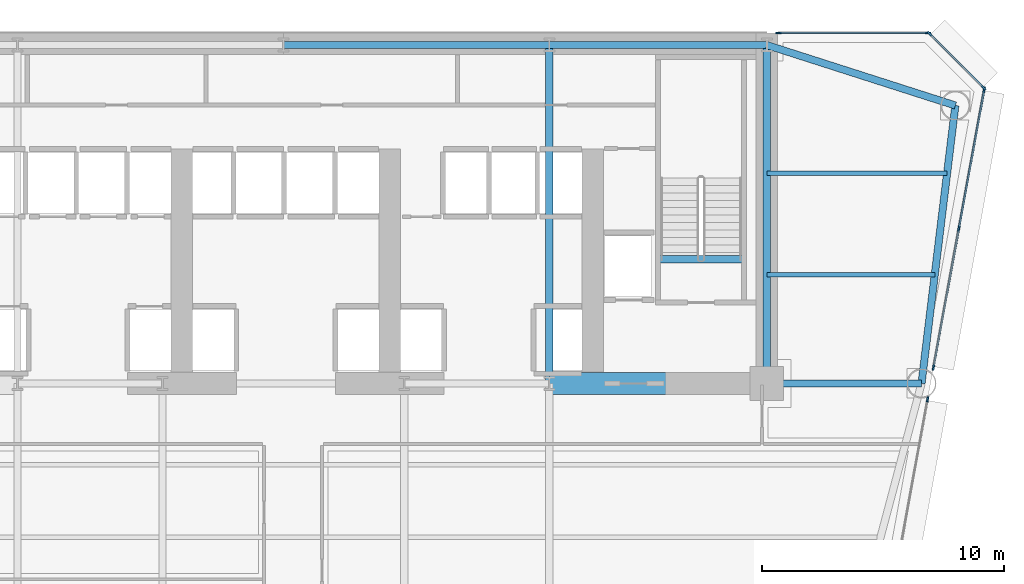
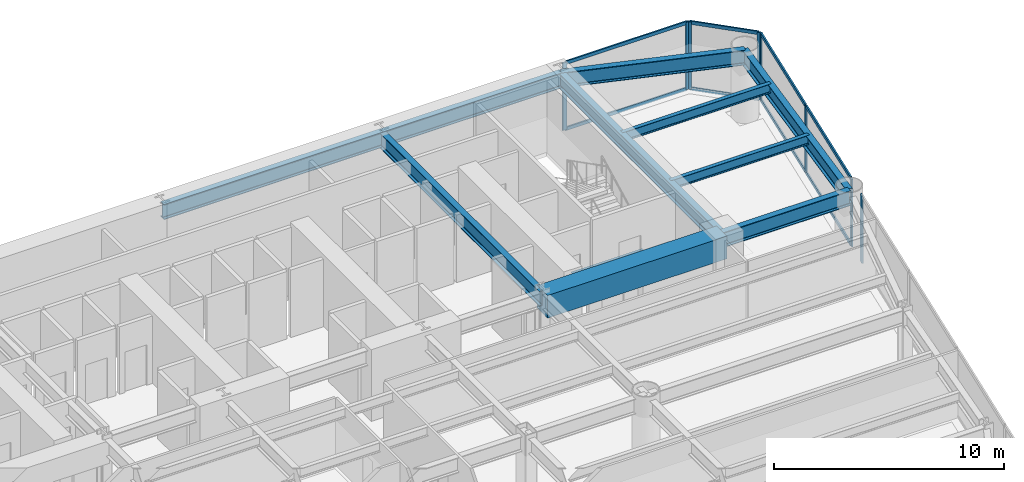
# One storey, part 6 of 14: 16 members, 11 beams, 4 elements without a shape of their own.
"""IFC4 building model written with IfcOpenShell, lengths in metres."""

from ifc_helpers import new_model, si_unit, direction, frame, origin, origin_2d, place, context, subcontext, project, spatial, rectangle, i_section, extrude, source, transform, mapped, material, layer, layer_set, material_profile, profile_set, type_object, element, aggregate, save


model = new_model("IFC4")

# Units and contexts
model_context = context("Model", 3, precision=1e-05, world=origin(), true_north=direction((0.0, 1.0)))
body_context = subcontext(model_context, "Body", "Model", "MODEL_VIEW")
ifc_project = project(units=[si_unit("LENGTHUNIT", "METRE"), si_unit("AREAUNIT", "SQUARE_METRE"), si_unit("VOLUMEUNIT", "CUBIC_METRE"), si_unit("PLANEANGLEUNIT", "RADIAN"), si_unit("MASSUNIT", "GRAM", prefix="KILO")], contexts=[model_context])

# Site, building, storey
site_placement = place(None, origin())
site = spatial("IfcSite", under=ifc_project, at=site_placement, CompositionType="ELEMENT")
building_placement = place(site_placement, origin())
building = spatial("IfcBuilding", under=site, at=building_placement, Name="Vaeldorn Concourse Tower", CompositionType="ELEMENT")
storey_placement = place(building_placement, frame((0.0, 0.0, 68.199951171875)))
storey = spatial("IfcBuildingStorey", under=building, at=storey_placement, Name="L17", CompositionType="ELEMENT", Elevation=68.199951171875)

# Beams
ifc_material_1 = material(Name="Concrete C60/75", Category="concrete")
ifc_material_profile_1 = material_profile(ifc_material_1, rectangle(XDim=0.89990234375, YDim=1.199951171875, at=origin_2d()), Name="RC 900x1200")
ifc_profile_set_1 = profile_set([ifc_material_profile_1], Name="Concrete C60/75")
beam_type_1 = type_object("IfcBeamType", Name="BM-CB-RC900", PredefinedType="BEAM", material=ifc_profile_set_1)
shared_shape_1 = source(origin(), body_context, "Body", "SweptSolid", [
    extrude(rectangle(XDim=0.89990234375, YDim=1.199951171875, at=origin_2d()), origin(), (0.0, 0.0, 1.0), 9.0),
])
beam_1_placement = place(storey_placement, frame((45.0, 36.5, 2.97998046875), z_axis=(1.0, 0.0, 0.0), x_axis=(0.0, 1.0, 0.0)))
element("IfcBeam", 1, at=beam_1_placement, inside=storey, type_object=beam_type_1, Name="Core Coupling Beam L17-2", PredefinedType="BEAM", context=body_context, shape_type="MappedRepresentation", body=[
    mapped(shared_shape_1, transform((0.0, 0.0, 0.0), scale=1.0)),
])
ifc_material_2 = material(Name="Steel S355", Category="steel")
ifc_material_profile_2 = material_profile(ifc_material_2, i_section(OverallWidth=0.300048828125, OverallDepth=0.340087890625, WebThickness=0.011962890625, FlangeThickness=0.021484375, FilletRadius=0.027099609375, at=origin_2d()), Name="HEB 340")
ifc_profile_set_2 = profile_set([ifc_material_profile_2], Name="Steel S355")
beam_type_2 = type_object("IfcBeamType", Name="BM-ST-TRIM", PredefinedType="BEAM", material=ifc_profile_set_2)
shared_shape_2 = source(origin(), body_context, "Body", "SweptSolid", [
    extrude(i_section(OverallWidth=0.300048828125, OverallDepth=0.340087890625, WebThickness=0.011962890625, FlangeThickness=0.021484375, FilletRadius=0.027099609375, at=origin_2d()), origin(), (0.0, 0.0, 1.0), 3.590087890625),
])
beam_2_placement = place(storey_placement, frame((49.47998046875, 41.639892578125, -0.389892578125), z_axis=(1.0, 0.0, 0.0), x_axis=(0.0, 1.0, 0.0)))
element("IfcBeam", 2, at=beam_2_placement, inside=storey, type_object=beam_type_2, Name="Stair Landing Trimmer Beam ST-2 L17", PredefinedType="BEAM", context=body_context, shape_type="MappedRepresentation", body=[
    mapped(shared_shape_2, transform((0.0, 0.0, 0.0), scale=1.0)),
])
ifc_material_profile_3 = material_profile(ifc_material_2, i_section(OverallWidth=0.300048828125, OverallDepth=0.800048828125, WebThickness=0.017578125, FlangeThickness=0.032958984375, FilletRadius=0.030029296875, at=origin_2d()), Name="HEB 800")
ifc_profile_set_3 = profile_set([ifc_material_profile_3], Name="Steel S355")
beam_type_3 = type_object("IfcBeamType", Name="BM-PG-HEB800", PredefinedType="BEAM", material=ifc_profile_set_3)
shared_shape_3 = source(origin(), body_context, "Body", "SweptSolid", [
    extrude(i_section(OverallWidth=0.300048828125, OverallDepth=0.800048828125, WebThickness=0.017578125, FlangeThickness=0.032958984375, FilletRadius=0.030029296875, at=origin_2d()), origin(), (0.0, 0.0, 1.0), 9.0),
])
beam_3_placement = place(storey_placement, frame((45.0, 50.5, 3.179931640625), z_axis=(1.0, 0.0, 0.0), x_axis=(0.0, 1.0, 0.0)))
element("IfcBeam", 3, at=beam_3_placement, inside=storey, type_object=beam_type_3, Name="Beam BM-L17-C-HC4-C-HC5", PredefinedType="BEAM", context=body_context, shape_type="MappedRepresentation", body=[
    mapped(shared_shape_3, transform((0.0, 0.0, 0.0), scale=1.0)),
])
shared_shape_4 = source(origin(), body_context, "Body", "SweptSolid", [
    extrude(i_section(OverallWidth=0.300048828125, OverallDepth=0.800048828125, WebThickness=0.017578125, FlangeThickness=0.032958984375, FilletRadius=0.030029296875, at=origin_2d()), origin(), (0.0, 0.0, 1.0), 11.0),
])
beam_4_placement = place(storey_placement, frame((34.0, 50.5, 3.179931640625), z_axis=(1.0, 0.0, 0.0), x_axis=(0.0, 1.0, 0.0)))
element("IfcBeam", 4, at=beam_4_placement, inside=storey, type_object=beam_type_3, Name="Beam BM-L17-C-HC3-C-HC4", PredefinedType="BEAM", context=body_context, shape_type="MappedRepresentation", body=[
    mapped(shared_shape_4, transform((0.0, 0.0, 0.0), scale=1.0)),
])
shared_shape_5 = source(origin(), body_context, "Body", "SweptSolid", [
    extrude(i_section(OverallWidth=0.300048828125, OverallDepth=0.800048828125, WebThickness=0.017578125, FlangeThickness=0.032958984375, FilletRadius=0.030029296875, at=origin_2d()), origin(), (0.0, 0.0, 1.0), 14.0),
])
for number, where, z_axis, x_axis, name in (
    (5, (45.0, 36.5, 3.179931640625), (0.0, 1.0, 0.0), (-1.0, 0.0, 0.0), "Beam BM-L17-C-FC5-C-HC4"),
    (6, (54.0, 36.5, 3.179931640625), (0.0, 1.0, 0.0), (-1.0, 0.0, 0.0), "Beam BM-L17-C-FC6-C-HC5"),
):
    element("IfcBeam", number, at=place(storey_placement, frame(where, z_axis=z_axis, x_axis=x_axis)), inside=storey, type_object=beam_type_3, Name=name, PredefinedType="BEAM", context=body_context, shape_type="MappedRepresentation", body=[
        mapped(shared_shape_5, transform((0.0, 0.0, 0.0), scale=1.0)),
    ])
shared_shape_6 = source(origin(), body_context, "Body", "SweptSolid", [
    extrude(i_section(OverallWidth=0.300048828125, OverallDepth=0.800048828125, WebThickness=0.017578125, FlangeThickness=0.032958984375, FilletRadius=0.030029296875, at=origin_2d()), origin(), (0.0, 0.0, 1.0), 8.19091796875),
])
beam_5_placement = place(storey_placement, frame((54.0, 50.5, 3.179931640625), z_axis=(0.952282843383, -0.305216949396, 0.0), x_axis=(0.305216949396, 0.952282843383, 0.0)))
element("IfcBeam", 7, at=beam_5_placement, inside=storey, type_object=beam_type_3, Name="Beam BM-L17-C-HC5-C-NE1", PredefinedType="BEAM", context=body_context, shape_type="MappedRepresentation", body=[
    mapped(shared_shape_6, transform((0.0, 0.0, 0.0), scale=1.0)),
])
shared_shape_7 = source(origin(), body_context, "Body", "SweptSolid", [
    extrude(i_section(OverallWidth=0.300048828125, OverallDepth=0.800048828125, WebThickness=0.017578125, FlangeThickness=0.032958984375, FilletRadius=0.030029296875, at=origin_2d()), origin(), (0.0, 0.0, 1.0), 11.5849609375),
])
beam_6_placement = place(storey_placement, frame((61.800048828125, 48.0, 3.179931640625), z_axis=(-0.120859382899, -0.992669637677, 0.0), x_axis=(0.992669637677, -0.120859382899, 0.0)))
element("IfcBeam", 8, at=beam_6_placement, inside=storey, type_object=beam_type_3, Name="Beam BM-L17-C-NE1-C-NE2", PredefinedType="BEAM", context=body_context, shape_type="MappedRepresentation", body=[
    mapped(shared_shape_7, transform((0.0, 0.0, 0.0), scale=1.0)),
])
shared_shape_8 = source(origin(), body_context, "Body", "SweptSolid", [
    extrude(i_section(OverallWidth=0.300048828125, OverallDepth=0.800048828125, WebThickness=0.017578125, FlangeThickness=0.032958984375, FilletRadius=0.030029296875, at=origin_2d()), origin(), (0.0, 0.0, 1.0), 6.39990234375),
])
beam_7_placement = place(storey_placement, frame((54.0, 36.5, 3.179931640625), z_axis=(1.0, 0.0, 0.0), x_axis=(0.0, 1.0, 0.0)))
element("IfcBeam", 9, at=beam_7_placement, inside=storey, type_object=beam_type_3, Name="Beam BM-L17-C-FC6-C-NE2", PredefinedType="BEAM", context=body_context, shape_type="MappedRepresentation", body=[
    mapped(shared_shape_8, transform((0.0, 0.0, 0.0), scale=1.0)),
])
ifc_material_profile_4 = material_profile(ifc_material_2, i_section(OverallWidth=0.199951171875, OverallDepth=0.5, WebThickness=0.01025390625, FlangeThickness=0.01611328125, FilletRadius=0.02099609375, at=origin_2d()), Name="IPE 500")
ifc_profile_set_4 = profile_set([ifc_material_profile_4], Name="Steel S355")
beam_type_4 = type_object("IfcBeamType", Name="BM-JS-IPE500", PredefinedType="JOIST", material=ifc_profile_set_4)
shared_shape_9 = source(origin(), body_context, "Body", "SweptSolid", [
    extrude(i_section(OverallWidth=0.199951171875, OverallDepth=0.5, WebThickness=0.01025390625, FlangeThickness=0.01611328125, FilletRadius=0.02099609375, at=origin_2d()), origin(), (0.0, 0.0, 1.0), 6.94775390625),
])
beam_8_placement = place(storey_placement, frame((54.0, 41.0, 3.330078125), z_axis=(1.0, 0.0, 0.0), x_axis=(0.0, 1.0, 0.0)))
element("IfcBeam", 10, at=beam_8_placement, inside=storey, type_object=beam_type_4, Name="Beam JS-L17-NE-410", PredefinedType="JOIST", context=body_context, shape_type="MappedRepresentation", body=[
    mapped(shared_shape_9, transform((0.0, 0.0, 0.0), scale=1.0)),
])
shared_shape_10 = source(origin(), body_context, "Body", "SweptSolid", [
    extrude(i_section(OverallWidth=0.199951171875, OverallDepth=0.5, WebThickness=0.01025390625, FlangeThickness=0.01611328125, FilletRadius=0.02099609375, at=origin_2d()), origin(), (0.0, 0.0, 1.0), 7.458984375),
])
beam_9_placement = place(storey_placement, frame((54.0, 45.199951171875, 3.330078125), z_axis=(1.0, 0.0, 0.0), x_axis=(0.0, 1.0, 0.0)))
element("IfcBeam", 11, at=beam_9_placement, inside=storey, type_object=beam_type_4, Name="Beam JS-L17-NE-452", PredefinedType="JOIST", context=body_context, shape_type="MappedRepresentation", body=[
    mapped(shared_shape_10, transform((0.0, 0.0, 0.0), scale=1.0)),
])

# Curtain wall, members
ifc_material_3 = material(Name="Anodised Bronze Aluminium", Category="aluminium")
ifc_layer = layer(ifc_material_3, 0.219970703125)
ifc_layer_set = layer_set([ifc_layer], Name="Anodised Bronze Aluminium")
curtain_wall_type = type_object("IfcCurtainWallType", Name="CW-SYS-01", PredefinedType="NOTDEFINED", material=ifc_layer_set)
curtain_wall_1_placement = place(storey_placement, origin())
curtain_wall_1 = element("IfcCurtainWall", 12, at=curtain_wall_1_placement, inside=storey, type_object=curtain_wall_type, Name="Unitised Curtain Wall CW-L17-E08-1", PredefinedType="NOTDEFINED")
ifc_material_profile_5 = material_profile(ifc_material_3, rectangle(XDim=0.074951171875, YDim=0.179931640625, at=origin_2d()), Name="CWT 75x180")
ifc_profile_set_5 = profile_set([ifc_material_profile_5], Name="Anodised Bronze Aluminium")
member_type_1 = type_object("IfcMemberType", Name="CWT-BRONZE-180", PredefinedType="USERDEFINED", material=ifc_profile_set_5)
shared_shape_11 = source(origin(), body_context, "Body", "SweptSolid", [
    extrude(rectangle(XDim=0.074951171875, YDim=0.179931640625, at=origin_2d()), origin(), (0.0, 0.0, 1.0), 3.10302734375),
])
member_1_placement = place(storey_placement, frame((62.947021484375, 48.7529296875, 0.03759765625), z_axis=(-0.707106781187, 0.707106781187, 0.0), x_axis=(-0.707106781187, -0.707106781187, 0.0)))
member_1 = element("IfcMember", 13, at=member_1_placement, type_object=member_type_1, Name="CW-01 transom 1.1", ObjectType="TRANSOM", PredefinedType="USERDEFINED", context=body_context, shape_type="MappedRepresentation", body=[
    mapped(shared_shape_11, transform((0.0, 0.0, 0.0), scale=1.0)),
])
member_2_placement = place(storey_placement, frame((62.947021484375, 48.7529296875, 3.54248046875), z_axis=(-0.707106781187, 0.707106781187, 0.0), x_axis=(-0.707106781187, -0.707106781187, 0.0)))
member_2 = element("IfcMember", 14, at=member_2_placement, type_object=member_type_1, Name="CW-01 transom 1.2", ObjectType="TRANSOM", PredefinedType="USERDEFINED", context=body_context, shape_type="MappedRepresentation", body=[
    mapped(shared_shape_11, transform((0.0, 0.0, 0.0), scale=1.0)),
])

curtain_wall_2_placement = place(storey_placement, origin())
curtain_wall_2 = element("IfcCurtainWall", 15, at=curtain_wall_2_placement, inside=storey, type_object=curtain_wall_type, Name="Unitised Curtain Wall CW-L17-E09-1", PredefinedType="NOTDEFINED")
shared_shape_12 = source(origin(), body_context, "Body", "SweptSolid", [
    extrude(rectangle(XDim=0.074951171875, YDim=0.179931640625, at=origin_2d()), origin(), (0.0, 0.0, 1.0), 6.10498046875),
])
member_3_placement = place(storey_placement, frame((60.625, 51.0, 0.03759765625), z_axis=(-1.0, 0.0, 0.0), x_axis=(0.0, -1.0, 0.0)))
member_3 = element("IfcMember", 16, at=member_3_placement, type_object=member_type_1, Name="CW-01 transom 1.1", ObjectType="TRANSOM", PredefinedType="USERDEFINED", context=body_context, shape_type="MappedRepresentation", body=[
    mapped(shared_shape_12, transform((0.0, 0.0, 0.0), scale=1.0)),
])
member_4_placement = place(storey_placement, frame((60.625, 51.0, 3.54248046875), z_axis=(-1.0, 0.0, 0.0), x_axis=(0.0, -1.0, 0.0)))
member_4 = element("IfcMember", 17, at=member_4_placement, type_object=member_type_1, Name="CW-01 transom 1.2", ObjectType="TRANSOM", PredefinedType="USERDEFINED", context=body_context, shape_type="MappedRepresentation", body=[
    mapped(shared_shape_12, transform((0.0, 0.0, 0.0), scale=1.0)),
])

# Curtain wall, member
curtain_wall_3_placement = place(storey_placement, origin())
curtain_wall_3 = element("IfcCurtainWall", 18, at=curtain_wall_3_placement, inside=storey, type_object=curtain_wall_type, Name="Unitised Curtain Wall CW-L17-E07-1", PredefinedType="NOTDEFINED")
ifc_material_profile_6 = material_profile(ifc_material_3, rectangle(XDim=0.074951171875, YDim=0.219970703125, at=origin_2d()), Name="CWM 75x220")
ifc_profile_set_6 = profile_set([ifc_material_profile_6], Name="Anodised Bronze Aluminium")
member_type_2 = type_object("IfcMemberType", Name="CWM-BRONZE-220", PredefinedType="MULLION", material=ifc_profile_set_6)
shared_shape_13 = source(origin(), body_context, "Body", "SweptSolid", [
    extrude(rectangle(XDim=0.074951171875, YDim=0.219970703125, at=origin_2d()), origin(), (0.0, 0.0, 1.0), 3.580078125),
])
member_5_placement = place(storey_placement, frame((60.6533203125, 35.843505859375, 0.0), z_axis=(0.0, 0.0, 1.0), x_axis=(-0.983746121623, 0.179564941431, 0.0)))
member_5 = element("IfcMember", 19, at=member_5_placement, type_object=member_type_2, Name="CW-01 mullion 6", PredefinedType="MULLION", context=body_context, shape_type="MappedRepresentation", body=[
    mapped(shared_shape_13, transform((0.0, 0.0, 0.0), scale=1.0)),
])
aggregate(curtain_wall_3, [member_5])

# Curtain wall, members
curtain_wall_4_placement = place(storey_placement, origin())
curtain_wall_4 = element("IfcCurtainWall", 20, at=curtain_wall_4_placement, inside=storey, type_object=curtain_wall_type, Name="Unitised Curtain Wall CW-L17-E07-2", PredefinedType="NOTDEFINED")
member_6_placement = place(storey_placement, frame((60.892822265625, 37.156494140625, 0.0), z_axis=(0.0, 0.0, 1.0), x_axis=(-0.983746262756, 0.179564168232, 0.0)))
member_6 = element("IfcMember", 21, at=member_6_placement, type_object=member_type_2, Name="CW-01 mullion 1", PredefinedType="MULLION", context=body_context, shape_type="MappedRepresentation", body=[
    mapped(shared_shape_13, transform((0.0, 0.0, 0.0), scale=1.0)),
])
member_7_placement = place(storey_placement, frame((61.943115234375, 42.90966796875, 0.0), z_axis=(0.0, 0.0, 1.0), x_axis=(-0.983746262756, 0.179564168232, 0.0)))
member_7 = element("IfcMember", 22, at=member_7_placement, type_object=member_type_2, Name="CW-01 mullion 2", PredefinedType="MULLION", context=body_context, shape_type="MappedRepresentation", body=[
    mapped(shared_shape_13, transform((0.0, 0.0, 0.0), scale=1.0)),
])
member_8_placement = place(storey_placement, frame((62.9931640625, 48.6630859375, 0.0), z_axis=(0.0, 0.0, 1.0), x_axis=(-0.983746262756, 0.179564168232, 0.0)))
member_8 = element("IfcMember", 23, at=member_8_placement, type_object=member_type_2, Name="CW-01 mullion 3", PredefinedType="MULLION", context=body_context, shape_type="MappedRepresentation", body=[
    mapped(shared_shape_13, transform((0.0, 0.0, 0.0), scale=1.0)),
])

# Member
member_9_placement = place(storey_placement, frame((62.973388671875, 48.7265625, 0.0), z_axis=(0.0, 0.0, 1.0), x_axis=(-0.707106781187, -0.707106781187, 0.0)))
member_9 = element("IfcMember", 24, at=member_9_placement, type_object=member_type_2, Name="CW-01 mullion 1", PredefinedType="MULLION", context=body_context, shape_type="MappedRepresentation", body=[
    mapped(shared_shape_13, transform((0.0, 0.0, 0.0), scale=1.0)),
])

member_10_placement = place(storey_placement, frame((60.7265625, 50.973388671875, 0.0), z_axis=(0.0, 0.0, 1.0), x_axis=(-0.707106781187, -0.707106781187, 0.0)))
member_10 = element("IfcMember", 25, at=member_10_placement, type_object=member_type_2, Name="CW-01 mullion 2", PredefinedType="MULLION", context=body_context, shape_type="MappedRepresentation", body=[
    mapped(shared_shape_13, transform((0.0, 0.0, 0.0), scale=1.0)),
])

aggregate(curtain_wall_1, [member_9, member_10, member_1, member_2])

member_11_placement = place(storey_placement, frame((60.66259765625, 51.0, 0.0), z_axis=(0.0, 0.0, 1.0), x_axis=(0.0, -1.0, 0.0)))
member_11 = element("IfcMember", 26, at=member_11_placement, type_object=member_type_2, Name="CW-01 mullion 1", PredefinedType="MULLION", context=body_context, shape_type="MappedRepresentation", body=[
    mapped(shared_shape_13, transform((0.0, 0.0, 0.0), scale=1.0)),
])

member_12_placement = place(storey_placement, frame((54.482421875, 51.0, 0.0), z_axis=(0.0, 0.0, 1.0), x_axis=(0.0, -1.0, 0.0)))
member_12 = element("IfcMember", 27, at=member_12_placement, type_object=member_type_2, Name="CW-01 mullion 2", PredefinedType="MULLION", context=body_context, shape_type="MappedRepresentation", body=[
    mapped(shared_shape_13, transform((0.0, 0.0, 0.0), scale=1.0)),
])

aggregate(curtain_wall_2, [member_11, member_12, member_3, member_4])

shared_shape_14 = source(origin(), body_context, "Body", "SweptSolid", [
    extrude(rectangle(XDim=0.074951171875, YDim=0.179931640625, at=origin_2d()), origin(), (0.0, 0.0, 1.0), 5.773193359375),
])
member_13_placement = place(storey_placement, frame((60.899658203125, 37.193359375, 0.03759765625), z_axis=(0.179555240124, 0.983747892371, 0.0), x_axis=(-0.983747892371, 0.179555240124, 0.0)))
member_13 = element("IfcMember", 28, at=member_13_placement, type_object=member_type_1, Name="CW-01 transom 1.1", ObjectType="TRANSOM", PredefinedType="USERDEFINED", context=body_context, shape_type="MappedRepresentation", body=[
    mapped(shared_shape_14, transform((0.0, 0.0, 0.0), scale=1.0)),
])

member_14_placement = place(storey_placement, frame((60.899658203125, 37.193359375, 3.54248046875), z_axis=(0.179555240124, 0.983747892371, 0.0), x_axis=(-0.983747892371, 0.179555240124, 0.0)))
member_14 = element("IfcMember", 29, at=member_14_placement, type_object=member_type_1, Name="CW-01 transom 1.2", ObjectType="TRANSOM", PredefinedType="USERDEFINED", context=body_context, shape_type="MappedRepresentation", body=[
    mapped(shared_shape_14, transform((0.0, 0.0, 0.0), scale=1.0)),
])

shared_shape_15 = source(origin(), body_context, "Body", "SweptSolid", [
    extrude(rectangle(XDim=0.074951171875, YDim=0.179931640625, at=origin_2d()), origin(), (0.0, 0.0, 1.0), 5.7734375),
])
member_15_placement = place(storey_placement, frame((61.949951171875, 42.946533203125, 0.03759765625), z_axis=(0.179547770784, 0.983749255657, 0.0), x_axis=(-0.983749255657, 0.179547770784, 0.0)))
member_15 = element("IfcMember", 30, at=member_15_placement, type_object=member_type_1, Name="CW-01 transom 2.1", ObjectType="TRANSOM", PredefinedType="USERDEFINED", context=body_context, shape_type="MappedRepresentation", body=[
    mapped(shared_shape_15, transform((0.0, 0.0, 0.0), scale=1.0)),
])

member_16_placement = place(storey_placement, frame((61.949951171875, 42.946533203125, 3.54248046875), z_axis=(0.179547770784, 0.983749255657, 0.0), x_axis=(-0.983749255657, 0.179547770784, 0.0)))
member_16 = element("IfcMember", 31, at=member_16_placement, type_object=member_type_1, Name="CW-01 transom 2.2", ObjectType="TRANSOM", PredefinedType="USERDEFINED", context=body_context, shape_type="MappedRepresentation", body=[
    mapped(shared_shape_15, transform((0.0, 0.0, 0.0), scale=1.0)),
])

aggregate(curtain_wall_4, [member_6, member_7, member_8, member_13, member_14, member_15, member_16])

save(model, "model.ifc")
